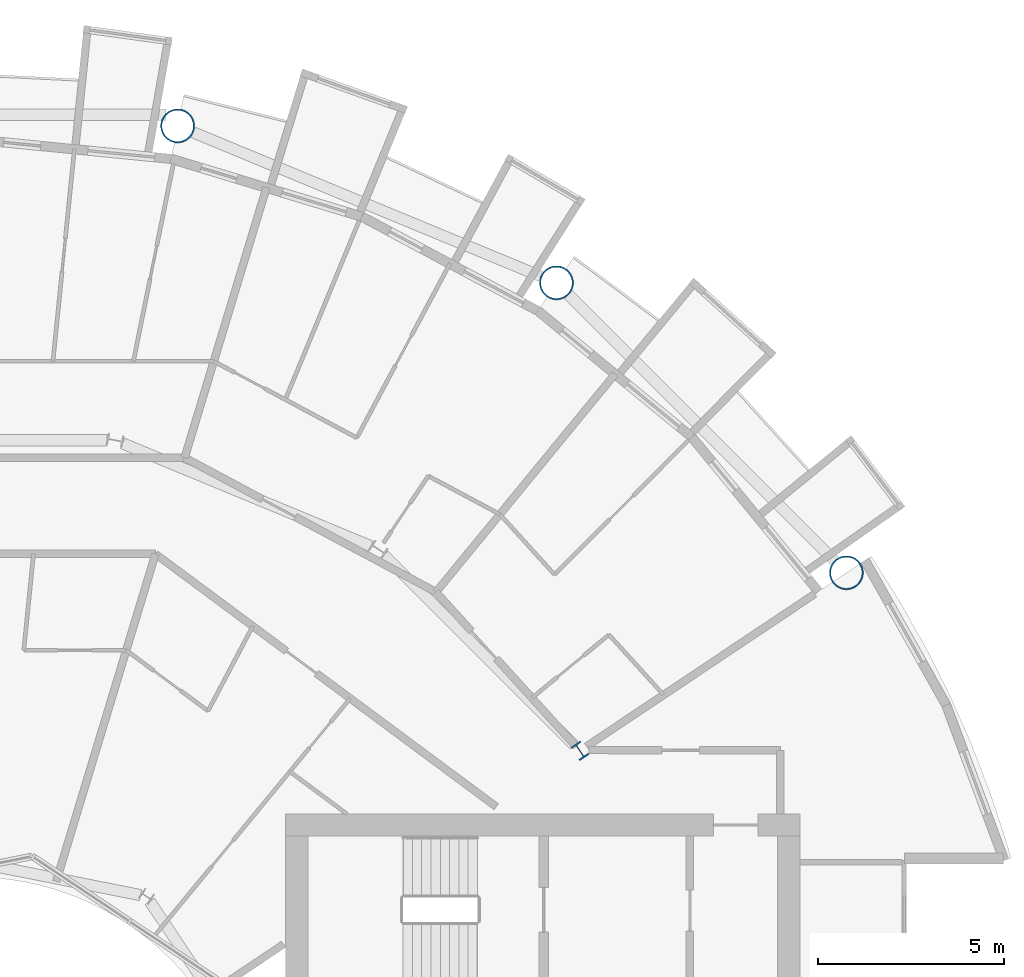
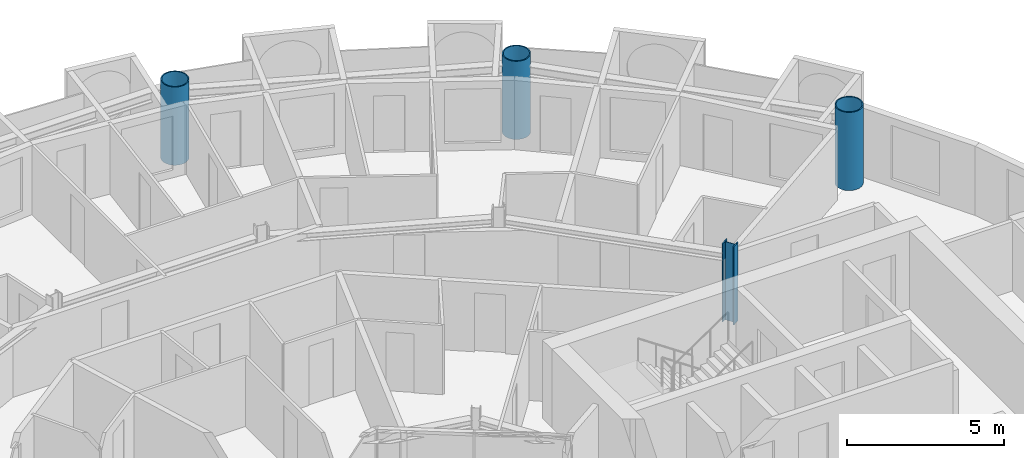
# One storey, part 4 of 27: 4 columns.
"""IFC4 building model written with IfcOpenShell, lengths in metres."""

from ifc_helpers import new_model, si_unit, direction, frame, origin, origin_2d, place, context, subcontext, project, spatial, hollow_circle, i_section, extrude, material, material_profile, profile_set, type_object, element, save


model = new_model("IFC4")

# Units and contexts
model_context = context("Model", 3, precision=1e-05, world=origin(), true_north=direction((0.0, 1.0)))
body_context = subcontext(model_context, "Body", "Model", "MODEL_VIEW")
ifc_project = project(units=[si_unit("LENGTHUNIT", "METRE"), si_unit("AREAUNIT", "SQUARE_METRE"), si_unit("VOLUMEUNIT", "CUBIC_METRE"), si_unit("PLANEANGLEUNIT", "RADIAN"), si_unit("MASSUNIT", "GRAM", prefix="KILO")], contexts=[model_context])

# Site, building, storey
site_placement = place(None, origin())
site = spatial("IfcSite", under=ifc_project, at=site_placement, CompositionType="ELEMENT")
building_placement = place(site_placement, origin())
building = spatial("IfcBuilding", under=site, at=building_placement, Name="Maasbend Ring Residences", CompositionType="ELEMENT")
storey_placement = place(building_placement, frame((0.0, 0.0, 117.75)))
storey = spatial("IfcBuildingStorey", under=building, at=storey_placement, Name="L33", CompositionType="ELEMENT", Elevation=117.75)

# Columns
ifc_material_1 = material(Name="Composite concrete-filled steel tube S460NH / C80/95", Category="concrete")
ifc_material_profile_1 = material_profile(ifc_material_1, hollow_circle(Radius=0.45703125, WallThickness=0.0400390625, at=origin_2d()), Name="Composite tube column CHS 914x40")
ifc_profile_set_1 = profile_set([ifc_material_profile_1], Name="Composite concrete-filled steel tube S460NH / C80/95")
column_type_1 = type_object("IfcColumnType", Name="Composite tube column CHS 914x40", PredefinedType="COLUMN", material=ifc_profile_set_1)
for number, where, z_axis, x_axis, name in (
    (1, (23.447509765625, 15.6669921875, 0.0), (0.0, 0.0, 1.0), (1.0, 0.0, 0.0), "Outer column R2"),
    (2, (15.6669921875, 23.447509765625, 0.0), (0.0, 0.0, 1.0), (1.0, 0.0, 0.0), "Outer column R3"),
    (3, (5.50146484375, 27.658203125, 0.0), (0.0, 0.0, 1.0), (1.0, 0.0, 0.0), "Outer column R4"),
):
    element("IfcColumn", number, at=place(storey_placement, frame(where, z_axis=z_axis, x_axis=x_axis)), inside=storey, type_object=column_type_1, Name=name, PredefinedType="COLUMN", context=body_context, shape_type="SweptSolid", body=[
        extrude(hollow_circle(Radius=0.45703125, WallThickness=0.0400390625, at=origin_2d()), origin(), (0.0, 0.0, 1.0), 3.050048828125),
    ])
ifc_material_2 = material(Name="Steel S460M", Category="steel")
ifc_material_profile_2 = material_profile(ifc_material_2, i_section(OverallWidth=0.306884765625, OverallDepth=0.431884765625, WebThickness=0.02099609375, FlangeThickness=0.0400390625, FilletRadius=0.027099609375, at=origin_2d()), Name="HEM 400")
ifc_profile_set_2 = profile_set([ifc_material_profile_2], Name="Steel S460M")
column_type_2 = type_object("IfcColumnType", Name="Steel column HEM 400", PredefinedType="COLUMN", material=ifc_profile_set_2)
column_placement = place(storey_placement, frame((16.296875, 10.88916015625, 0.0), z_axis=(0.0, 0.0, 1.0), x_axis=(0.831469612303, 0.55557023302, 0.0)))
element("IfcColumn", 4, at=column_placement, inside=storey, type_object=column_type_2, Name="Corridor ring column R2", PredefinedType="COLUMN", context=body_context, shape_type="SweptSolid", body=[
    extrude(i_section(OverallWidth=0.306884765625, OverallDepth=0.431884765625, WebThickness=0.02099609375, FlangeThickness=0.0400390625, FilletRadius=0.027099609375, at=origin_2d()), origin(), (0.0, 0.0, 1.0), 3.050048828125),
])

save(model, "model.ifc")
